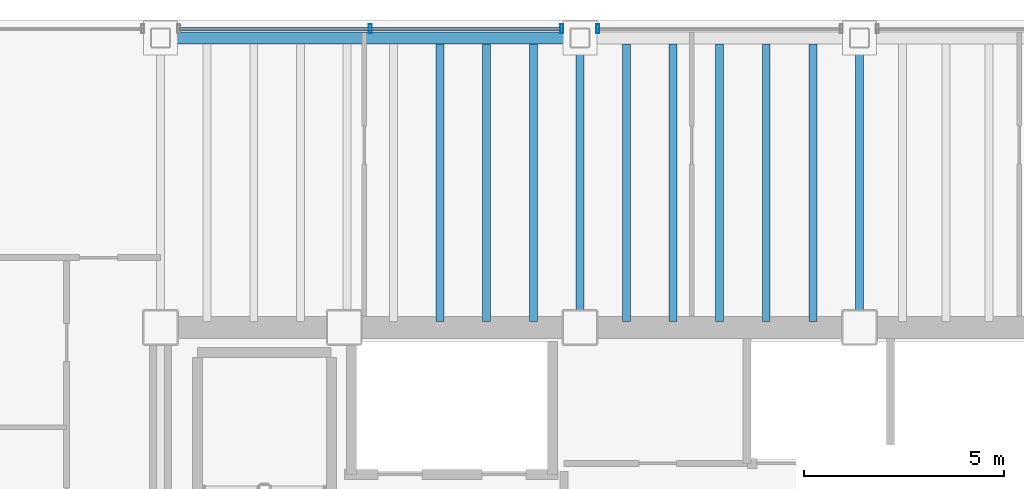
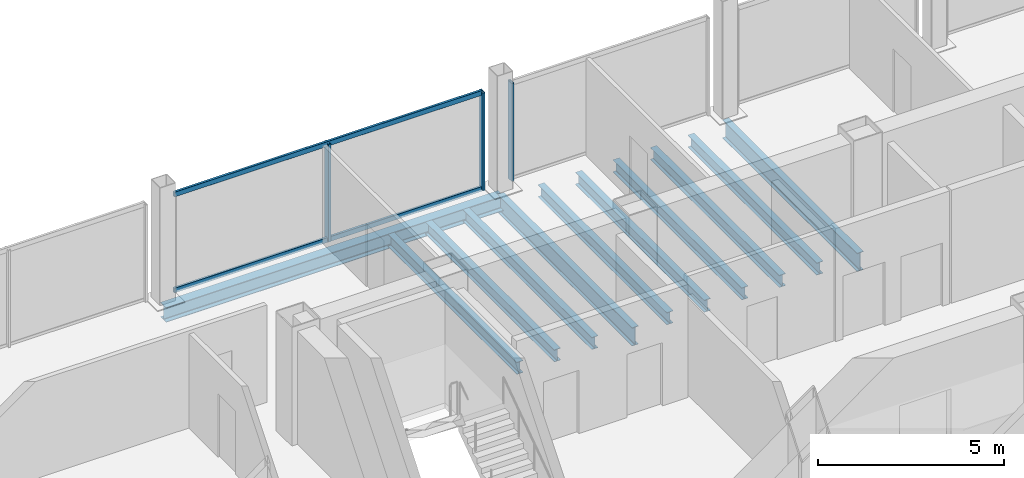
# One storey, part 9 of 19: 11 beams, 5 members, 2 elements without a shape of their own.
"""IFC4 building model written with IfcOpenShell, lengths in metres."""

from ifc_helpers import new_model, si_unit, direction, frame, origin, origin_2d, place, context, subcontext, project, spatial, hollow_rectangle, i_section, extrude, material, material_profile, profile_set, type_object, element, aggregate, save


model = new_model("IFC4")

# Units and contexts
model_context = context("Model", 3, precision=1e-05, world=origin(), true_north=direction((0.0, 1.0)))
body_context = subcontext(model_context, "Body", "Model", "MODEL_VIEW")
ifc_project = project(units=[si_unit("LENGTHUNIT", "METRE"), si_unit("AREAUNIT", "SQUARE_METRE"), si_unit("VOLUMEUNIT", "CUBIC_METRE"), si_unit("PLANEANGLEUNIT", "RADIAN"), si_unit("MASSUNIT", "GRAM", prefix="KILO")], contexts=[model_context])

# Site, building, storey
site_placement = place(None, origin())
site = spatial("IfcSite", under=ifc_project, at=site_placement, CompositionType="ELEMENT")
building_placement = place(site_placement, origin())
building = spatial("IfcBuilding", under=site, at=building_placement, Name="Noeulbin Bourse Tower", CompositionType="ELEMENT")
storey_placement = place(building_placement, frame((0.0, 0.0, 146.10009765625)))
storey = spatial("IfcBuildingStorey", under=building, at=storey_placement, Name="L36", CompositionType="ELEMENT", Elevation=146.10009765625)

# Beams
ifc_material_1 = material(Name="Steel S355", Category="steel")
ifc_material_profile_1 = material_profile(ifc_material_1, i_section(OverallWidth=0.199951171875, OverallDepth=0.60009765625, WebThickness=0.010986328125, FlangeThickness=0.01708984375, FilletRadius=0.02197265625, at=origin_2d()), Name="H-600x200x11x17", Category="LoadBearing")
ifc_profile_set_1 = profile_set([ifc_material_profile_1], Name="Steel S355")
beam_type_1 = type_object("IfcBeamType", Name="BM-GRD-600", PredefinedType="USERDEFINED", material=ifc_profile_set_1)
for number, where, z_axis, x_axis, name in (
    (1, (24.0, 38.300048828125, -0.47998046875), (0.0, 1.0, 0.0), (-1.0, 0.0, 0.0), "Tower Primary Girder NS L36-2.4"),
    (2, (31.0, 38.300048828125, -0.47998046875), (0.0, 1.0, 0.0), (-1.0, 0.0, 0.0), "Tower Primary Girder NS L36-3.4"),
):
    element("IfcBeam", number, at=place(storey_placement, frame(where, z_axis=z_axis, x_axis=x_axis)), inside=storey, type_object=beam_type_1, Name=name, ObjectType="GIRDER", PredefinedType="USERDEFINED", context=body_context, shape_type="SweptSolid", body=[
        extrude(i_section(OverallWidth=0.199951171875, OverallDepth=0.60009765625, WebThickness=0.010986328125, FlangeThickness=0.01708984375, FilletRadius=0.02197265625, at=origin_2d()), origin(), (0.0, 0.0, 1.0), 7.25),
    ])
ifc_material_profile_2 = material_profile(ifc_material_1, i_section(OverallWidth=0.199951171875, OverallDepth=0.39990234375, WebThickness=0.008056640625, FlangeThickness=0.012939453125, FilletRadius=0.01611328125, at=origin_2d()), Name="H-400x200x8x13", Category="LoadBearing")
ifc_profile_set_2 = profile_set([ifc_material_profile_2], Name="Steel S355")
beam_type_2 = type_object("IfcBeamType", Name="BM-SEC-400", PredefinedType="BEAM", material=ifc_profile_set_2)
for number, where, z_axis, x_axis, name in (
    (3, (20.5, 38.449951171875, -0.380126953125), (0.0, 1.0, 0.0), (-1.0, 0.0, 0.0), "Tower Composite Joist L36-18"),
    (4, (21.666748046875, 38.449951171875, -0.380126953125), (0.0, 1.0, 0.0), (-1.0, 0.0, 0.0), "Tower Composite Joist L36-21"),
    (5, (22.833251953125, 38.449951171875, -0.380126953125), (0.0, 1.0, 0.0), (-1.0, 0.0, 0.0), "Tower Composite Joist L36-24"),
    (6, (25.166748046875, 38.449951171875, -0.380126953125), (0.0, 1.0, 0.0), (-1.0, 0.0, 0.0), "Tower Composite Joist L36-27"),
    (7, (26.333251953125, 38.449951171875, -0.380126953125), (0.0, 1.0, 0.0), (-1.0, 0.0, 0.0), "Tower Composite Joist L36-30"),
    (8, (27.5, 38.449951171875, -0.380126953125), (0.0, 1.0, 0.0), (-1.0, 0.0, 0.0), "Tower Composite Joist L36-33"),
    (9, (28.666748046875, 38.449951171875, -0.380126953125), (0.0, 1.0, 0.0), (-1.0, 0.0, 0.0), "Tower Composite Joist L36-36"),
    (10, (29.833251953125, 38.449951171875, -0.380126953125), (0.0, 1.0, 0.0), (-1.0, 0.0, 0.0), "Tower Composite Joist L36-39"),
):
    element("IfcBeam", number, at=place(storey_placement, frame(where, z_axis=z_axis, x_axis=x_axis)), inside=storey, type_object=beam_type_2, Name=name, PredefinedType="BEAM", context=body_context, shape_type="SweptSolid", body=[
        extrude(i_section(OverallWidth=0.199951171875, OverallDepth=0.39990234375, WebThickness=0.008056640625, FlangeThickness=0.012939453125, FilletRadius=0.01611328125, at=origin_2d()), origin(), (0.0, 0.0, 1.0), 6.949951171875),
    ])
ifc_material_profile_3 = material_profile(ifc_material_1, i_section(OverallWidth=0.300048828125, OverallDepth=0.488037109375, WebThickness=0.010986328125, FlangeThickness=0.01806640625, FilletRadius=0.02197265625, at=origin_2d()), Name="H-488x300x11x18", Category="LoadBearing")
ifc_profile_set_3 = profile_set([ifc_material_profile_3], Name="Steel S355")
beam_type_3 = type_object("IfcBeamType", Name="BM-SPN-488", PredefinedType="SPANDREL", material=ifc_profile_set_3)
beam_placement = place(storey_placement, frame((13.5, 45.550048828125, -0.424072265625), z_axis=(1.0, 0.0, 0.0), x_axis=(0.0, 1.0, 0.0)))
element("IfcBeam", 11, at=beam_placement, inside=storey, type_object=beam_type_3, Name="North Spandrel L36-1", PredefinedType="SPANDREL", context=body_context, shape_type="SweptSolid", body=[
    extrude(i_section(OverallWidth=0.300048828125, OverallDepth=0.488037109375, WebThickness=0.010986328125, FlangeThickness=0.01806640625, FilletRadius=0.02197265625, at=origin_2d()), origin(), (0.0, 0.0, 1.0), 10.5),
])

# Curtain wall, members
ifc_material_2 = material(Name="Dark Tinted Triple Glazing", Category="glass")
curtain_wall_type = type_object("IfcCurtainWallType", Name="CW-SYS-3", PredefinedType="NOTDEFINED", material=ifc_material_2)
curtain_wall_1_placement = place(storey_placement, origin())
curtain_wall_1 = element("IfcCurtainWall", 12, at=curtain_wall_1_placement, inside=storey, type_object=curtain_wall_type, Name="Unitised Curtain Wall CW-L36-N-S2", PredefinedType="NOTDEFINED")
ifc_material_3 = material(Name="Anodised Aluminium 6063-T6", Category="aluminium")
ifc_material_profile_4 = material_profile(ifc_material_3, hollow_rectangle(XDim=0.074951171875, YDim=0.219970703125, WallThickness=0.0048828125, InnerFilletRadius=0.00244140625, OuterFilletRadius=0.0048828125, at=origin_2d()), Name="ALU-MULL-75x220x5", Category="LoadBearing")
ifc_profile_set_4 = profile_set([ifc_material_profile_4], Name="Anodised Aluminium 6063-T6")
member_type_1 = type_object("IfcMemberType", Name="CW-SYS-3-MUL", PredefinedType="MULLION", material=ifc_profile_set_4)
member_1_placement = place(storey_placement, frame((18.75, 45.780029296875, -0.02001953125), z_axis=(0.0, 0.0, 1.0), x_axis=(1.0, 0.0, 0.0)))
member_1 = element("IfcMember", 13, at=member_1_placement, type_object=member_type_1, Name="Curtain Wall Mullion CW-L36-N-S2-M01", PredefinedType="MULLION", context=body_context, shape_type="SweptSolid", body=[
    extrude(hollow_rectangle(XDim=0.074951171875, YDim=0.219970703125, WallThickness=0.0048828125, InnerFilletRadius=0.00244140625, OuterFilletRadius=0.0048828125, at=origin_2d()), origin(), (0.0, 0.0, 1.0), 3.219970703125),
])
member_2_placement = place(storey_placement, frame((23.550048828125, 45.780029296875, -0.02001953125), z_axis=(0.0, 0.0, 1.0), x_axis=(1.0, 0.0, 0.0)))
member_2 = element("IfcMember", 14, at=member_2_placement, type_object=member_type_1, Name="Curtain Wall Mullion CW-L36-N-S2-M02", PredefinedType="MULLION", context=body_context, shape_type="SweptSolid", body=[
    extrude(hollow_rectangle(XDim=0.074951171875, YDim=0.219970703125, WallThickness=0.0048828125, InnerFilletRadius=0.00244140625, OuterFilletRadius=0.0048828125, at=origin_2d()), origin(), (0.0, 0.0, 1.0), 3.219970703125),
])

# Curtain wall, member
curtain_wall_2_placement = place(storey_placement, origin())
curtain_wall_2 = element("IfcCurtainWall", 15, at=curtain_wall_2_placement, inside=storey, type_object=curtain_wall_type, Name="Unitised Curtain Wall CW-L36-N-S3", PredefinedType="NOTDEFINED")
member_3_placement = place(storey_placement, frame((24.449951171875, 45.780029296875, -0.02001953125), z_axis=(0.0, 0.0, 1.0), x_axis=(1.0, 0.0, 0.0)))
member_3 = element("IfcMember", 16, at=member_3_placement, type_object=member_type_1, Name="Curtain Wall Mullion CW-L36-N-S3-M00", PredefinedType="MULLION", context=body_context, shape_type="SweptSolid", body=[
    extrude(hollow_rectangle(XDim=0.074951171875, YDim=0.219970703125, WallThickness=0.0048828125, InnerFilletRadius=0.00244140625, OuterFilletRadius=0.0048828125, at=origin_2d()), origin(), (0.0, 0.0, 1.0), 3.219970703125),
])
aggregate(curtain_wall_2, [member_3])

# Member
ifc_material_profile_5 = material_profile(ifc_material_3, hollow_rectangle(XDim=0.074951171875, YDim=0.159912109375, WallThickness=0.0048828125, InnerFilletRadius=0.00244140625, OuterFilletRadius=0.0048828125, at=origin_2d()), Name="ALU-TRAN-75x160x5", Category="LoadBearing")
ifc_profile_set_5 = profile_set([ifc_material_profile_5], Name="Anodised Aluminium 6063-T6")
member_type_2 = type_object("IfcMemberType", Name="CW-SYS-3-TRN", PredefinedType="USERDEFINED", material=ifc_profile_set_5)
member_4_placement = place(storey_placement, frame((13.9599609375, 45.780029296875, 0.010009765625), z_axis=(1.0, 0.0, 0.0), x_axis=(0.0, 1.0, 0.0)))
member_4 = element("IfcMember", 17, at=member_4_placement, type_object=member_type_2, Name="Curtain Wall Transom CW-L36-N-S2-T00", ObjectType="TRANSOM", PredefinedType="USERDEFINED", context=body_context, shape_type="SweptSolid", body=[
    extrude(hollow_rectangle(XDim=0.074951171875, YDim=0.159912109375, WallThickness=0.0048828125, InnerFilletRadius=0.00244140625, OuterFilletRadius=0.0048828125, at=origin_2d()), origin(), (0.0, 0.0, 1.0), 9.580078125),
])

member_5_placement = place(storey_placement, frame((13.9599609375, 45.780029296875, 3.169921875), z_axis=(1.0, 0.0, 0.0), x_axis=(0.0, 1.0, 0.0)))
member_5 = element("IfcMember", 18, at=member_5_placement, type_object=member_type_2, Name="Curtain Wall Transom CW-L36-N-S2-T01", ObjectType="TRANSOM", PredefinedType="USERDEFINED", context=body_context, shape_type="SweptSolid", body=[
    extrude(hollow_rectangle(XDim=0.074951171875, YDim=0.159912109375, WallThickness=0.0048828125, InnerFilletRadius=0.00244140625, OuterFilletRadius=0.0048828125, at=origin_2d()), origin(), (0.0, 0.0, 1.0), 9.580078125),
])

aggregate(curtain_wall_1, [member_1, member_2, member_4, member_5])

save(model, "model.ifc")
